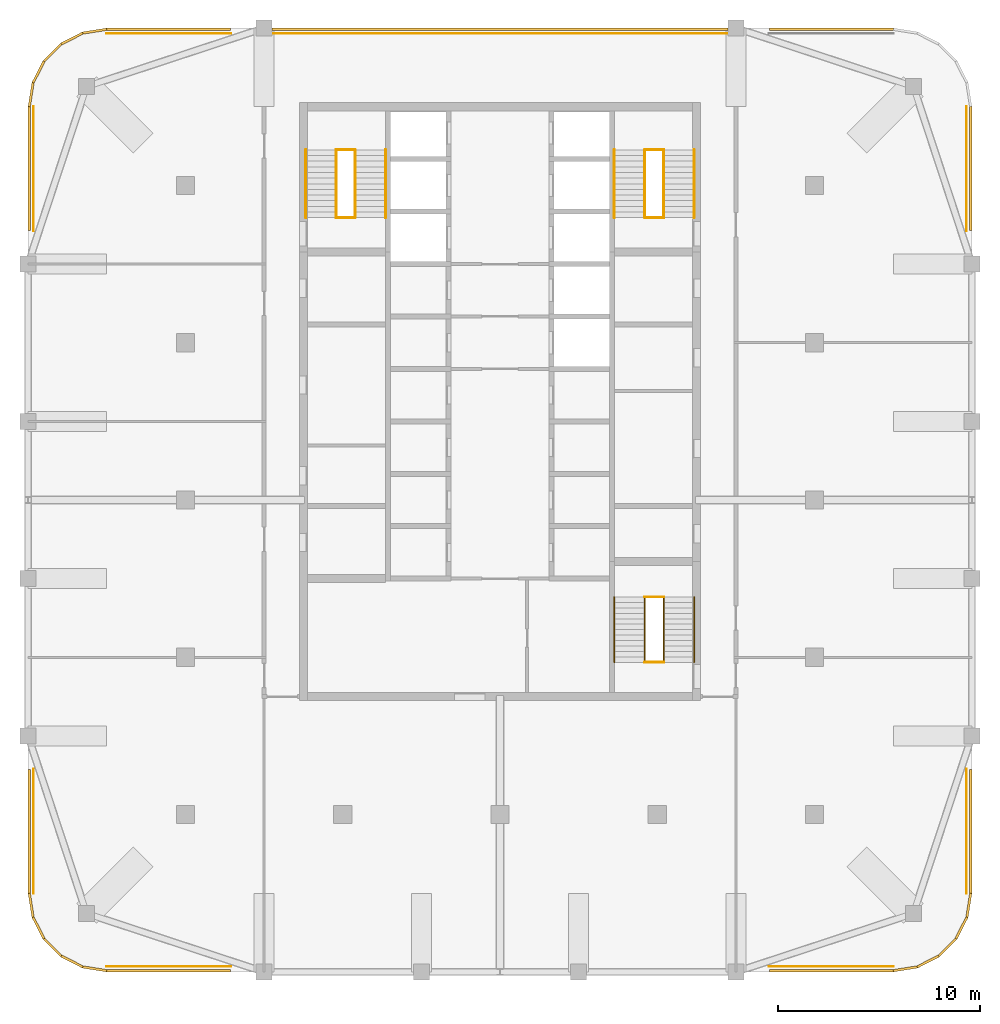
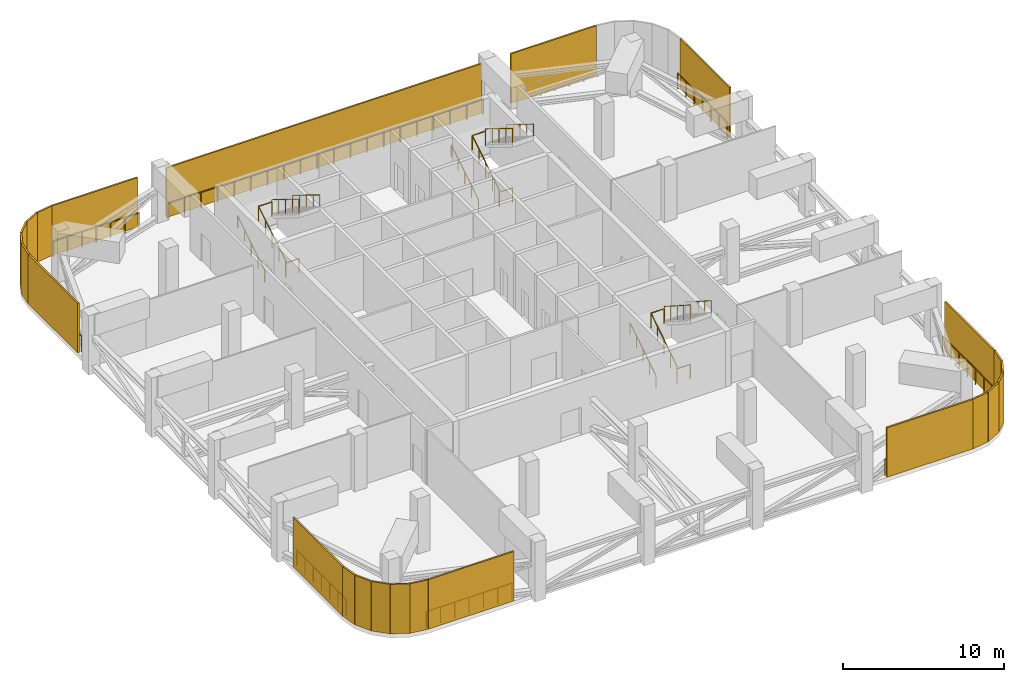
# One storey, part 12 of 13: 26 railings, 24 shading devices, 3 elements without a shape of their own.
"""IFC4 building model written with IfcOpenShell, lengths in metres."""

from ifc_helpers import new_model, si_unit, direction, frame, frame_2d, origin, origin_2d, place, context, subcontext, project, spatial, rectangle, circle, extrude, material, layer, layer_set, type_object, element, aggregate, save


model = new_model("IFC4")

# Units and contexts
model_context = context("Model", 3, precision=1e-05, world=origin(), true_north=direction((0.0, 1.0)))
body_context = subcontext(model_context, "Body", "Model", "MODEL_VIEW")
ifc_project = project(units=[si_unit("LENGTHUNIT", "METRE"), si_unit("AREAUNIT", "SQUARE_METRE"), si_unit("VOLUMEUNIT", "CUBIC_METRE"), si_unit("PLANEANGLEUNIT", "RADIAN"), si_unit("MASSUNIT", "GRAM", prefix="KILO")], contexts=[model_context])

# Site, building, storey
site_placement = place(None, origin())
site = spatial("IfcSite", under=ifc_project, at=site_placement, CompositionType="ELEMENT")
building_placement = place(site_placement, origin())
building = spatial("IfcBuilding", under=site, at=building_placement, Name="Ludao Terraces", CompositionType="ELEMENT")
storey_placement = place(building_placement, frame((0.0, 0.0, 241.5)))
storey = spatial("IfcBuildingStorey", under=building, at=storey_placement, Name="L66", CompositionType="ELEMENT", Elevation=241.5)

# Shading devices
ifc_material_1 = material(Name="Aluminium 6063-T6", Category="aluminium")
ifc_layer = layer(ifc_material_1, 0.1201171875)
ifc_layer_set = layer_set([ifc_layer], Name="ENV Louvre screen 120")
shading_device_type = type_object("IfcShadingDeviceType", Name="ENV Louvre screen 120", PredefinedType="USERDEFINED", material=ifc_layer_set)
for number, where, z_axis, x_axis, name in (
    (1, (65.5, 41.659912109375, 0.0), (0.0, 0.0, 1.0), (1.0, 0.0, 0.0), "LV-L66-S1"),
    (2, (98.354248046875, 41.659912109375, 0.0), (0.0, 0.0, 1.0), (1.0, 0.0, 0.0), "LV-L66-S5"),
    (3, (108.340087890625, 45.5, 0.0), (0.0, 0.0, 1.0), (0.0, 1.0, 0.0), "LV-L66-E1"),
    (4, (108.340087890625, 78.354248046875, 0.0), (0.0, 0.0, 1.0), (0.0, 1.0, 0.0), "LV-L66-E5"),
    (5, (65.5, 88.340087890625, 0.0), (0.0, 0.0, 1.0), (1.0, 0.0, 0.0), "LV-L66-N1"),
):
    element("IfcShadingDevice", number, at=place(storey_placement, frame(where, z_axis=z_axis, x_axis=x_axis)), inside=storey, type_object=shading_device_type, Name=name, ObjectType="LOUVRE", PredefinedType="USERDEFINED", context=body_context, shape_type="SweptSolid", body=[
        extrude(rectangle(XDim=6.145751953125, YDim=0.1201171875, at=frame_2d((3.07275390625, 0.0))), origin(), (0.0, 0.0, 1.0), 3.75),
    ])
shading_device_placement = place(storey_placement, frame((73.699951171875, 88.340087890625, 0.0), z_axis=(0.0, 0.0, 1.0), x_axis=(1.0, 0.0, 0.0)))
element("IfcShadingDevice", 6, at=shading_device_placement, inside=storey, type_object=shading_device_type, Name="LV-L66-N2", ObjectType="LOUVRE", PredefinedType="USERDEFINED", context=body_context, shape_type="SweptSolid", body=[
    extrude(rectangle(XDim=22.60009765625, YDim=0.1201171875, at=frame_2d((11.300048828125, 0.0))), origin(), (0.0, 0.0, 1.0), 3.75),
])
for number, where, z_axis, x_axis, name in (
    (7, (98.354248046875, 88.340087890625, 0.0), (0.0, 0.0, 1.0), (1.0, 0.0, 0.0), "LV-L66-N3"),
    (8, (61.659912109375, 45.5, 0.0), (0.0, 0.0, 1.0), (0.0, 1.0, 0.0), "LV-L66-W1"),
    (9, (61.659912109375, 78.354248046875, 0.0), (0.0, 0.0, 1.0), (0.0, 1.0, 0.0), "LV-L66-W5"),
):
    element("IfcShadingDevice", number, at=place(storey_placement, frame(where, z_axis=z_axis, x_axis=x_axis)), inside=storey, type_object=shading_device_type, Name=name, ObjectType="LOUVRE", PredefinedType="USERDEFINED", context=body_context, shape_type="SweptSolid", body=[
        extrude(rectangle(XDim=6.145751953125, YDim=0.1201171875, at=frame_2d((3.07275390625, 0.0))), origin(), (0.0, 0.0, 1.0), 3.75),
    ])
for number, where, z_axis, x_axis, name in (
    (10, (104.5, 41.659912109375, 0.0), (0.0, 0.0, 1.0), (0.987680438414, 0.156484349296, 0.0), "LV-L66-SE1"),
    (11, (105.6865234375, 41.847900390625, 0.0), (0.0, 0.0, 1.0), (0.891028641699, 0.453947089066, 0.0), "LV-L66-SE2"),
    (12, (106.757080078125, 42.393310546875, 0.0), (0.0, 0.0, 1.0), (0.707106781187, 0.707106781187, 0.0), "LV-L66-SE3"),
    (13, (107.606689453125, 43.242919921875, 0.0), (0.0, 0.0, 1.0), (0.453947089066, 0.891028641699, 0.0), "LV-L66-SE4"),
    (14, (108.152099609375, 44.3134765625, 0.0), (0.0, 0.0, 1.0), (0.156484349296, 0.987680438414, 0.0), "LV-L66-SE5"),
    (15, (65.5, 88.340087890625, 0.0), (0.0, 0.0, 1.0), (-0.987680438414, -0.156484349296, 0.0), "LV-L66-NW1"),
    (16, (64.3134765625, 88.152099609375, 0.0), (0.0, 0.0, 1.0), (-0.891028641699, -0.453947089066, 0.0), "LV-L66-NW2"),
    (17, (63.242919921875, 87.606689453125, 0.0), (0.0, 0.0, 1.0), (-0.707106781187, -0.707106781187, 0.0), "LV-L66-NW3"),
    (18, (62.393310546875, 86.757080078125, 0.0), (0.0, 0.0, 1.0), (-0.453947089066, -0.891028641699, 0.0), "LV-L66-NW4"),
    (19, (61.847900390625, 85.6865234375, 0.0), (0.0, 0.0, 1.0), (-0.156484349296, -0.987680438414, 0.0), "LV-L66-NW5"),
    (20, (61.659912109375, 45.5, 0.0), (0.0, 0.0, 1.0), (0.156484349296, -0.987680438414, 0.0), "LV-L66-SW1"),
    (21, (61.847900390625, 44.3134765625, 0.0), (0.0, 0.0, 1.0), (0.453947089066, -0.891028641699, 0.0), "LV-L66-SW2"),
    (22, (62.393310546875, 43.242919921875, 0.0), (0.0, 0.0, 1.0), (0.707106781187, -0.707106781187, 0.0), "LV-L66-SW3"),
    (23, (63.242919921875, 42.393310546875, 0.0), (0.0, 0.0, 1.0), (0.891028641699, -0.453947089066, 0.0), "LV-L66-SW4"),
    (24, (64.3134765625, 41.847900390625, 0.0), (0.0, 0.0, 1.0), (0.987680438414, -0.156484349296, 0.0), "LV-L66-SW5"),
):
    element("IfcShadingDevice", number, at=place(storey_placement, frame(where, z_axis=z_axis, x_axis=x_axis)), inside=storey, type_object=shading_device_type, Name=name, ObjectType="LOUVRE", PredefinedType="USERDEFINED", context=body_context, shape_type="SweptSolid", body=[
        extrude(rectangle(XDim=1.201416015625, YDim=0.1201171875, at=frame_2d((0.6005859375, 0.0))), origin(), (0.0, 0.0, 1.0), 3.75),
    ])

# Railings
ifc_material_2 = material(Name="Steel Q235", Category="steel")
railing_type_1 = type_object("IfcRailingType", Name="ENV Open-edge guard 1200", PredefinedType="GUARDRAIL", material=ifc_material_2)
for number, where, name in (
    (25, (65.5, 41.8701171875, 0.0), "Guard L66 S1"),
    (26, (98.354248046875, 41.8701171875, 0.0), "Guard L66 S5"),
):
    element("IfcRailing", number, at=place(storey_placement, frame(where)), inside=storey, type_object=railing_type_1, Name=name, PredefinedType="GUARDRAIL", context=body_context, shape_type="SweptSolid", body=[
        extrude(circle(Radius=0.02392578125, at=origin_2d()), frame((0.0, 0.0, 1.17578125), z_axis=(1.0, 0.0, 0.0), x_axis=(0.0, 1.0, 0.0)), (0.0, 0.0, 1.0), 6.145751953125),
        extrude(circle(Radius=0.02099609375, at=origin_2d()), origin(), (0.0, 0.0, 1.0), 1.15185546875),
        extrude(circle(Radius=0.02099609375, at=origin_2d()), frame((1.0244140625, 0.0, 0.0)), (0.0, 0.0, 1.0), 1.15185546875),
        extrude(circle(Radius=0.02099609375, at=origin_2d()), frame((2.048583984375, 0.0, 0.0)), (0.0, 0.0, 1.0), 1.15185546875),
        extrude(circle(Radius=0.02099609375, at=origin_2d()), frame((3.07275390625, 0.0, 0.0)), (0.0, 0.0, 1.0), 1.15185546875),
        extrude(circle(Radius=0.02099609375, at=origin_2d()), frame((4.09716796875, 0.0, 0.0)), (0.0, 0.0, 1.0), 1.15185546875),
        extrude(circle(Radius=0.02099609375, at=origin_2d()), frame((5.12158203125, 0.0, 0.0)), (0.0, 0.0, 1.0), 1.15185546875),
        extrude(circle(Radius=0.02099609375, at=origin_2d()), frame((6.145751953125, 0.0, 0.0)), (0.0, 0.0, 1.0), 1.15185546875),
    ])
for number, where, name in (
    (27, (108.1298828125, 45.5, 0.0), "Guard L66 E1"),
    (28, (108.1298828125, 78.354248046875, 0.0), "Guard L66 E5"),
):
    element("IfcRailing", number, at=place(storey_placement, frame(where)), inside=storey, type_object=railing_type_1, Name=name, PredefinedType="GUARDRAIL", context=body_context, shape_type="SweptSolid", body=[
        extrude(circle(Radius=0.02392578125, at=origin_2d()), frame((0.0, 0.0, 1.17578125), z_axis=(0.0, 1.0, 0.0), x_axis=(-1.0, 0.0, 0.0)), (0.0, 0.0, 1.0), 6.145751953125),
        extrude(circle(Radius=0.02099609375, at=origin_2d()), origin(), (0.0, 0.0, 1.0), 1.15185546875),
        extrude(circle(Radius=0.02099609375, at=origin_2d()), frame((0.0, 1.0244140625, 0.0)), (0.0, 0.0, 1.0), 1.15185546875),
        extrude(circle(Radius=0.02099609375, at=origin_2d()), frame((0.0, 2.048583984375, 0.0)), (0.0, 0.0, 1.0), 1.15185546875),
        extrude(circle(Radius=0.02099609375, at=origin_2d()), frame((0.0, 3.07275390625, 0.0)), (0.0, 0.0, 1.0), 1.15185546875),
        extrude(circle(Radius=0.02099609375, at=origin_2d()), frame((0.0, 4.09716796875, 0.0)), (0.0, 0.0, 1.0), 1.15185546875),
        extrude(circle(Radius=0.02099609375, at=origin_2d()), frame((0.0, 5.12158203125, 0.0)), (0.0, 0.0, 1.0), 1.15185546875),
        extrude(circle(Radius=0.02099609375, at=origin_2d()), frame((0.0, 6.145751953125, 0.0)), (0.0, 0.0, 1.0), 1.15185546875),
    ])
railing_1_placement = place(storey_placement, frame((65.5, 88.1298828125, 0.0)))
element("IfcRailing", 29, at=railing_1_placement, inside=storey, type_object=railing_type_1, Name="Guard L66 N1", PredefinedType="GUARDRAIL", context=body_context, shape_type="SweptSolid", body=[
    extrude(circle(Radius=0.02392578125, at=origin_2d()), frame((0.0, 0.0, 1.17578125), z_axis=(1.0, 0.0, 0.0), x_axis=(0.0, 1.0, 0.0)), (0.0, 0.0, 1.0), 6.145751953125),
    extrude(circle(Radius=0.02099609375, at=origin_2d()), origin(), (0.0, 0.0, 1.0), 1.15185546875),
    extrude(circle(Radius=0.02099609375, at=origin_2d()), frame((1.0244140625, 0.0, 0.0)), (0.0, 0.0, 1.0), 1.15185546875),
    extrude(circle(Radius=0.02099609375, at=origin_2d()), frame((2.048583984375, 0.0, 0.0)), (0.0, 0.0, 1.0), 1.15185546875),
    extrude(circle(Radius=0.02099609375, at=origin_2d()), frame((3.07275390625, 0.0, 0.0)), (0.0, 0.0, 1.0), 1.15185546875),
    extrude(circle(Radius=0.02099609375, at=origin_2d()), frame((4.09716796875, 0.0, 0.0)), (0.0, 0.0, 1.0), 1.15185546875),
    extrude(circle(Radius=0.02099609375, at=origin_2d()), frame((5.12158203125, 0.0, 0.0)), (0.0, 0.0, 1.0), 1.15185546875),
    extrude(circle(Radius=0.02099609375, at=origin_2d()), frame((6.145751953125, 0.0, 0.0)), (0.0, 0.0, 1.0), 1.15185546875),
])
railing_2_placement = place(storey_placement, frame((73.699951171875, 88.1298828125, 0.0)))
element("IfcRailing", 30, at=railing_2_placement, inside=storey, type_object=railing_type_1, Name="Guard L66 N2", PredefinedType="GUARDRAIL", context=body_context, shape_type="SweptSolid", body=[
    extrude(circle(Radius=0.02392578125, at=origin_2d()), frame((0.0, 0.0, 1.17578125), z_axis=(1.0, 0.0, 0.0), x_axis=(0.0, 1.0, 0.0)), (0.0, 0.0, 1.0), 22.60009765625),
    extrude(circle(Radius=0.02099609375, at=origin_2d()), origin(), (0.0, 0.0, 1.0), 1.15185546875),
    extrude(circle(Radius=0.02099609375, at=origin_2d()), frame((1.189453125, 0.0, 0.0)), (0.0, 0.0, 1.0), 1.15185546875),
    extrude(circle(Radius=0.02099609375, at=origin_2d()), frame((2.37890625, 0.0, 0.0)), (0.0, 0.0, 1.0), 1.15185546875),
    extrude(circle(Radius=0.02099609375, at=origin_2d()), frame((3.568359375, 0.0, 0.0)), (0.0, 0.0, 1.0), 1.15185546875),
    extrude(circle(Radius=0.02099609375, at=origin_2d()), frame((4.7578125, 0.0, 0.0)), (0.0, 0.0, 1.0), 1.15185546875),
    extrude(circle(Radius=0.02099609375, at=origin_2d()), frame((5.947509765625, 0.0, 0.0)), (0.0, 0.0, 1.0), 1.15185546875),
    extrude(circle(Radius=0.02099609375, at=origin_2d()), frame((7.136962890625, 0.0, 0.0)), (0.0, 0.0, 1.0), 1.15185546875),
    extrude(circle(Radius=0.02099609375, at=origin_2d()), frame((8.326416015625, 0.0, 0.0)), (0.0, 0.0, 1.0), 1.15185546875),
    extrude(circle(Radius=0.02099609375, at=origin_2d()), frame((9.515869140625, 0.0, 0.0)), (0.0, 0.0, 1.0), 1.15185546875),
    extrude(circle(Radius=0.02099609375, at=origin_2d()), frame((10.705322265625, 0.0, 0.0)), (0.0, 0.0, 1.0), 1.15185546875),
    extrude(circle(Radius=0.02099609375, at=origin_2d()), frame((11.894775390625, 0.0, 0.0)), (0.0, 0.0, 1.0), 1.15185546875),
    extrude(circle(Radius=0.02099609375, at=origin_2d()), frame((13.084228515625, 0.0, 0.0)), (0.0, 0.0, 1.0), 1.15185546875),
    extrude(circle(Radius=0.02099609375, at=origin_2d()), frame((14.273681640625, 0.0, 0.0)), (0.0, 0.0, 1.0), 1.15185546875),
    extrude(circle(Radius=0.02099609375, at=origin_2d()), frame((15.463134765625, 0.0, 0.0)), (0.0, 0.0, 1.0), 1.15185546875),
    extrude(circle(Radius=0.02099609375, at=origin_2d()), frame((16.652587890625, 0.0, 0.0)), (0.0, 0.0, 1.0), 1.15185546875),
    extrude(circle(Radius=0.02099609375, at=origin_2d()), frame((17.84228515625, 0.0, 0.0)), (0.0, 0.0, 1.0), 1.15185546875),
    extrude(circle(Radius=0.02099609375, at=origin_2d()), frame((19.03173828125, 0.0, 0.0)), (0.0, 0.0, 1.0), 1.15185546875),
    extrude(circle(Radius=0.02099609375, at=origin_2d()), frame((20.22119140625, 0.0, 0.0)), (0.0, 0.0, 1.0), 1.15185546875),
    extrude(circle(Radius=0.02099609375, at=origin_2d()), frame((21.41064453125, 0.0, 0.0)), (0.0, 0.0, 1.0), 1.15185546875),
    extrude(circle(Radius=0.02099609375, at=origin_2d()), frame((22.60009765625, 0.0, 0.0)), (0.0, 0.0, 1.0), 1.15185546875),
])
for number, where, name in (
    (31, (61.8701171875, 45.5, 0.0), "Guard L66 W1"),
    (32, (61.8701171875, 78.354248046875, 0.0), "Guard L66 W5"),
):
    element("IfcRailing", number, at=place(storey_placement, frame(where)), inside=storey, type_object=railing_type_1, Name=name, PredefinedType="GUARDRAIL", context=body_context, shape_type="SweptSolid", body=[
        extrude(circle(Radius=0.02392578125, at=origin_2d()), frame((0.0, 0.0, 1.17578125), z_axis=(0.0, 1.0, 0.0), x_axis=(-1.0, 0.0, 0.0)), (0.0, 0.0, 1.0), 6.145751953125),
        extrude(circle(Radius=0.02099609375, at=origin_2d()), origin(), (0.0, 0.0, 1.0), 1.15185546875),
        extrude(circle(Radius=0.02099609375, at=origin_2d()), frame((0.0, 1.0244140625, 0.0)), (0.0, 0.0, 1.0), 1.15185546875),
        extrude(circle(Radius=0.02099609375, at=origin_2d()), frame((0.0, 2.048583984375, 0.0)), (0.0, 0.0, 1.0), 1.15185546875),
        extrude(circle(Radius=0.02099609375, at=origin_2d()), frame((0.0, 3.07275390625, 0.0)), (0.0, 0.0, 1.0), 1.15185546875),
        extrude(circle(Radius=0.02099609375, at=origin_2d()), frame((0.0, 4.09716796875, 0.0)), (0.0, 0.0, 1.0), 1.15185546875),
        extrude(circle(Radius=0.02099609375, at=origin_2d()), frame((0.0, 5.12158203125, 0.0)), (0.0, 0.0, 1.0), 1.15185546875),
        extrude(circle(Radius=0.02099609375, at=origin_2d()), frame((0.0, 6.145751953125, 0.0)), (0.0, 0.0, 1.0), 1.15185546875),
    ])

# Stair, railings
ifc_material_3 = material(Name="Concrete C40", Category="concrete")
stair_type = type_object("IfcStairType", Name="INT Stair", PredefinedType="HALF_TURN_STAIR", material=ifc_material_3)
stair_1_placement = place(storey_placement, origin())
stair_1 = element("IfcStair", 33, at=stair_1_placement, inside=storey, type_object=stair_type, Name="EXIT STAIR 1", PredefinedType="HALF_TURN_STAIR")
ifc_material_4 = material(Name="Stainless steel 304", Category="steel")
railing_type_2 = type_object("IfcRailingType", Name="INT Stair guard 1100", PredefinedType="GUARDRAIL", material=ifc_material_4)
railing_3_placement = place(storey_placement, frame((76.875, 79.0, 0.173095703125)))
railing_3 = element("IfcRailing", 34, at=railing_3_placement, type_object=railing_type_2, Name="ST-L66-S1-R1G", PredefinedType="GUARDRAIL", context=body_context, shape_type="SweptSolid", body=[
    extrude(circle(Radius=0.02392578125, at=origin_2d()), frame((0.0, 0.0, 1.076171875), z_axis=(0.0, 0.850623216509, 0.525775754039), x_axis=(-1.0, 0.0, 0.0)), (0.0, 0.0, 1.0), 3.9501953125),
    extrude(circle(Radius=0.02099609375, at=origin_2d()), origin(), (0.0, 0.0, 1.0), 1.052001953125),
    extrude(circle(Radius=0.02099609375, at=origin_2d()), frame((0.0, 0.840087890625, 0.519287109375)), (0.0, 0.0, 1.0), 1.052001953125),
    extrude(circle(Radius=0.02099609375, at=origin_2d()), frame((0.0, 1.68017578125, 1.03857421875)), (0.0, 0.0, 1.0), 1.052001953125),
    extrude(circle(Radius=0.02099609375, at=origin_2d()), frame((0.0, 2.52001953125, 1.5576171875)), (0.0, 0.0, 1.0), 1.052001953125),
    extrude(circle(Radius=0.02099609375, at=origin_2d()), frame((0.0, 3.360107421875, 2.076904296875)), (0.0, 0.0, 1.0), 1.052001953125),
])
railing_4_placement = place(storey_placement, frame((77.824951171875, 82.360107421875, 2.423095703125)))
railing_4 = element("IfcRailing", 35, at=railing_4_placement, type_object=railing_type_2, Name="ST-L66-S1-R2G", PredefinedType="GUARDRAIL", context=body_context, shape_type="SweptSolid", body=[
    extrude(circle(Radius=0.02392578125, at=origin_2d()), frame((0.0, 0.0, 1.076171875), z_axis=(0.0, -0.850623216509, 0.525775754039), x_axis=(1.0, 0.0, 0.0)), (0.0, 0.0, 1.0), 3.9501953125),
    extrude(circle(Radius=0.02099609375, at=origin_2d()), origin(), (0.0, 0.0, 1.0), 1.052001953125),
    extrude(circle(Radius=0.02099609375, at=origin_2d()), frame((0.0, -0.840087890625, 0.519287109375)), (0.0, 0.0, 1.0), 1.052001953125),
    extrude(circle(Radius=0.02099609375, at=origin_2d()), frame((0.0, -1.68017578125, 1.03857421875)), (0.0, 0.0, 1.0), 1.052001953125),
    extrude(circle(Radius=0.02099609375, at=origin_2d()), frame((0.0, -2.52001953125, 1.5576171875)), (0.0, 0.0, 1.0), 1.052001953125),
    extrude(circle(Radius=0.02099609375, at=origin_2d()), frame((0.0, -3.360107421875, 2.076904296875)), (0.0, 0.0, 1.0), 1.052001953125),
])
railing_5_placement = place(storey_placement, frame((76.875, 82.360107421875, 2.25)))
railing_5 = element("IfcRailing", 36, at=railing_5_placement, type_object=railing_type_2, Name="ST-L66-S1-E1G", PredefinedType="GUARDRAIL", context=body_context, shape_type="SweptSolid", body=[
    extrude(circle(Radius=0.02392578125, at=origin_2d()), frame((0.0, 0.0, 1.076171875), z_axis=(1.0, 0.0, 0.0), x_axis=(0.0, 1.0, 0.0)), (0.0, 0.0, 1.0), 0.949951171875),
    extrude(circle(Radius=0.02099609375, at=origin_2d()), origin(), (0.0, 0.0, 1.0), 1.052001953125),
    extrude(circle(Radius=0.02099609375, at=origin_2d()), frame((0.949951171875, 0.0, 0.0)), (0.0, 0.0, 1.0), 1.052001953125),
])
railing_6_placement = place(storey_placement, frame((76.875, 79.0, 0.0)))
railing_6 = element("IfcRailing", 37, at=railing_6_placement, type_object=railing_type_2, Name="ST-L66-S1-E2G", PredefinedType="GUARDRAIL", context=body_context, shape_type="SweptSolid", body=[
    extrude(circle(Radius=0.02392578125, at=origin_2d()), frame((0.0, 0.0, 1.076171875), z_axis=(1.0, 0.0, 0.0), x_axis=(0.0, 1.0, 0.0)), (0.0, 0.0, 1.0), 0.949951171875),
    extrude(circle(Radius=0.02099609375, at=origin_2d()), origin(), (0.0, 0.0, 1.0), 1.052001953125),
    extrude(circle(Radius=0.02099609375, at=origin_2d()), frame((0.949951171875, 0.0, 0.0)), (0.0, 0.0, 1.0), 1.052001953125),
])

stair_2_placement = place(storey_placement, origin())
stair_2 = element("IfcStair", 38, at=stair_2_placement, inside=storey, type_object=stair_type, Name="EXIT STAIR 2", PredefinedType="HALF_TURN_STAIR")
railing_7_placement = place(storey_placement, frame((92.175048828125, 79.0, 0.173095703125)))
railing_7 = element("IfcRailing", 39, at=railing_7_placement, type_object=railing_type_2, Name="ST-L66-S2-R1G", PredefinedType="GUARDRAIL", context=body_context, shape_type="SweptSolid", body=[
    extrude(circle(Radius=0.02392578125, at=origin_2d()), frame((0.0, 0.0, 1.076171875), z_axis=(0.0, 0.850623216509, 0.525775754039), x_axis=(-1.0, 0.0, 0.0)), (0.0, 0.0, 1.0), 3.9501953125),
    extrude(circle(Radius=0.02099609375, at=origin_2d()), origin(), (0.0, 0.0, 1.0), 1.052001953125),
    extrude(circle(Radius=0.02099609375, at=origin_2d()), frame((0.0, 0.840087890625, 0.519287109375)), (0.0, 0.0, 1.0), 1.052001953125),
    extrude(circle(Radius=0.02099609375, at=origin_2d()), frame((0.0, 1.68017578125, 1.03857421875)), (0.0, 0.0, 1.0), 1.052001953125),
    extrude(circle(Radius=0.02099609375, at=origin_2d()), frame((0.0, 2.52001953125, 1.5576171875)), (0.0, 0.0, 1.0), 1.052001953125),
    extrude(circle(Radius=0.02099609375, at=origin_2d()), frame((0.0, 3.360107421875, 2.076904296875)), (0.0, 0.0, 1.0), 1.052001953125),
])
railing_8_placement = place(storey_placement, frame((93.125, 82.360107421875, 2.423095703125)))
railing_8 = element("IfcRailing", 40, at=railing_8_placement, type_object=railing_type_2, Name="ST-L66-S2-R2G", PredefinedType="GUARDRAIL", context=body_context, shape_type="SweptSolid", body=[
    extrude(circle(Radius=0.02392578125, at=origin_2d()), frame((0.0, 0.0, 1.076171875), z_axis=(0.0, -0.850623216509, 0.525775754039), x_axis=(1.0, 0.0, 0.0)), (0.0, 0.0, 1.0), 3.9501953125),
    extrude(circle(Radius=0.02099609375, at=origin_2d()), origin(), (0.0, 0.0, 1.0), 1.052001953125),
    extrude(circle(Radius=0.02099609375, at=origin_2d()), frame((0.0, -0.840087890625, 0.519287109375)), (0.0, 0.0, 1.0), 1.052001953125),
    extrude(circle(Radius=0.02099609375, at=origin_2d()), frame((0.0, -1.68017578125, 1.03857421875)), (0.0, 0.0, 1.0), 1.052001953125),
    extrude(circle(Radius=0.02099609375, at=origin_2d()), frame((0.0, -2.52001953125, 1.5576171875)), (0.0, 0.0, 1.0), 1.052001953125),
    extrude(circle(Radius=0.02099609375, at=origin_2d()), frame((0.0, -3.360107421875, 2.076904296875)), (0.0, 0.0, 1.0), 1.052001953125),
])
railing_9_placement = place(storey_placement, frame((92.175048828125, 82.360107421875, 2.25)))
railing_9 = element("IfcRailing", 41, at=railing_9_placement, type_object=railing_type_2, Name="ST-L66-S2-E1G", PredefinedType="GUARDRAIL", context=body_context, shape_type="SweptSolid", body=[
    extrude(circle(Radius=0.02392578125, at=origin_2d()), frame((0.0, 0.0, 1.076171875), z_axis=(1.0, 0.0, 0.0), x_axis=(0.0, 1.0, 0.0)), (0.0, 0.0, 1.0), 0.949951171875),
    extrude(circle(Radius=0.02099609375, at=origin_2d()), origin(), (0.0, 0.0, 1.0), 1.052001953125),
    extrude(circle(Radius=0.02099609375, at=origin_2d()), frame((0.949951171875, 0.0, 0.0)), (0.0, 0.0, 1.0), 1.052001953125),
])
railing_10_placement = place(storey_placement, frame((92.175048828125, 79.0, 0.0)))
railing_10 = element("IfcRailing", 42, at=railing_10_placement, type_object=railing_type_2, Name="ST-L66-S2-E2G", PredefinedType="GUARDRAIL", context=body_context, shape_type="SweptSolid", body=[
    extrude(circle(Radius=0.02392578125, at=origin_2d()), frame((0.0, 0.0, 1.076171875), z_axis=(1.0, 0.0, 0.0), x_axis=(0.0, 1.0, 0.0)), (0.0, 0.0, 1.0), 0.949951171875),
    extrude(circle(Radius=0.02099609375, at=origin_2d()), origin(), (0.0, 0.0, 1.0), 1.052001953125),
    extrude(circle(Radius=0.02099609375, at=origin_2d()), frame((0.949951171875, 0.0, 0.0)), (0.0, 0.0, 1.0), 1.052001953125),
])

stair_3_placement = place(storey_placement, origin())
stair_3 = element("IfcStair", 43, at=stair_3_placement, inside=storey, type_object=stair_type, Name="EXIT STAIR 3", PredefinedType="HALF_TURN_STAIR")
railing_11_placement = place(storey_placement, frame((92.175048828125, 56.949951171875, 0.173095703125)))
railing_11 = element("IfcRailing", 44, at=railing_11_placement, type_object=railing_type_2, Name="ST-L66-S3-R1G", PredefinedType="GUARDRAIL", context=body_context, shape_type="SweptSolid", body=[
    extrude(circle(Radius=0.02392578125, at=origin_2d()), frame((0.0, 0.0, 1.076171875), z_axis=(0.0, 0.841880617004, 0.539663808971), x_axis=(-1.0, 0.0, 0.0)), (0.0, 0.0, 1.0), 3.8486328125),
    extrude(circle(Radius=0.02099609375, at=origin_2d()), origin(), (0.0, 0.0, 1.0), 1.052001953125),
    extrude(circle(Radius=0.02099609375, at=origin_2d()), frame((0.0, 0.81005859375, 0.519287109375)), (0.0, 0.0, 1.0), 1.052001953125),
    extrude(circle(Radius=0.02099609375, at=origin_2d()), frame((0.0, 1.6201171875, 1.03857421875)), (0.0, 0.0, 1.0), 1.052001953125),
    extrude(circle(Radius=0.02099609375, at=origin_2d()), frame((0.0, 2.429931640625, 1.5576171875)), (0.0, 0.0, 1.0), 1.052001953125),
    extrude(circle(Radius=0.02099609375, at=origin_2d()), frame((0.0, 3.239990234375, 2.076904296875)), (0.0, 0.0, 1.0), 1.052001953125),
])
railing_12_placement = place(storey_placement, frame((93.125, 60.18994140625, 2.423095703125)))
railing_12 = element("IfcRailing", 45, at=railing_12_placement, type_object=railing_type_2, Name="ST-L66-S3-R2G", PredefinedType="GUARDRAIL", context=body_context, shape_type="SweptSolid", body=[
    extrude(circle(Radius=0.02392578125, at=origin_2d()), frame((0.0, 0.0, 1.076171875), z_axis=(0.0, -0.841880617004, 0.539663808971), x_axis=(1.0, 0.0, 0.0)), (0.0, 0.0, 1.0), 3.8486328125),
    extrude(circle(Radius=0.02099609375, at=origin_2d()), origin(), (0.0, 0.0, 1.0), 1.052001953125),
    extrude(circle(Radius=0.02099609375, at=origin_2d()), frame((0.0, -0.81005859375, 0.519287109375)), (0.0, 0.0, 1.0), 1.052001953125),
    extrude(circle(Radius=0.02099609375, at=origin_2d()), frame((0.0, -1.6201171875, 1.03857421875)), (0.0, 0.0, 1.0), 1.052001953125),
    extrude(circle(Radius=0.02099609375, at=origin_2d()), frame((0.0, -2.429931640625, 1.5576171875)), (0.0, 0.0, 1.0), 1.052001953125),
    extrude(circle(Radius=0.02099609375, at=origin_2d()), frame((0.0, -3.239990234375, 2.076904296875)), (0.0, 0.0, 1.0), 1.052001953125),
])
railing_13_placement = place(storey_placement, frame((92.175048828125, 60.18994140625, 2.25)))
railing_13 = element("IfcRailing", 46, at=railing_13_placement, type_object=railing_type_2, Name="ST-L66-S3-E1G", PredefinedType="GUARDRAIL", context=body_context, shape_type="SweptSolid", body=[
    extrude(circle(Radius=0.02392578125, at=origin_2d()), frame((0.0, 0.0, 1.076171875), z_axis=(1.0, 0.0, 0.0), x_axis=(0.0, 1.0, 0.0)), (0.0, 0.0, 1.0), 0.949951171875),
    extrude(circle(Radius=0.02099609375, at=origin_2d()), origin(), (0.0, 0.0, 1.0), 1.052001953125),
    extrude(circle(Radius=0.02099609375, at=origin_2d()), frame((0.949951171875, 0.0, 0.0)), (0.0, 0.0, 1.0), 1.052001953125),
])
railing_14_placement = place(storey_placement, frame((92.175048828125, 56.949951171875, 0.0)))
railing_14 = element("IfcRailing", 47, at=railing_14_placement, type_object=railing_type_2, Name="ST-L66-S3-E2G", PredefinedType="GUARDRAIL", context=body_context, shape_type="SweptSolid", body=[
    extrude(circle(Radius=0.02392578125, at=origin_2d()), frame((0.0, 0.0, 1.076171875), z_axis=(1.0, 0.0, 0.0), x_axis=(0.0, 1.0, 0.0)), (0.0, 0.0, 1.0), 0.949951171875),
    extrude(circle(Radius=0.02099609375, at=origin_2d()), origin(), (0.0, 0.0, 1.0), 1.052001953125),
    extrude(circle(Radius=0.02099609375, at=origin_2d()), frame((0.949951171875, 0.0, 0.0)), (0.0, 0.0, 1.0), 1.052001953125),
])

# Railing
railing_type_3 = type_object("IfcRailingType", Name="INT Stair handrail 900", PredefinedType="HANDRAIL", material=ifc_material_4)
railing_15_placement = place(storey_placement, frame((75.375, 79.0, 0.173095703125)))
railing_15 = element("IfcRailing", 48, at=railing_15_placement, type_object=railing_type_3, Name="ST-L66-S1-R1H", PredefinedType="HANDRAIL", context=body_context, shape_type="SweptSolid", body=[
    extrude(circle(Radius=0.02392578125, at=origin_2d()), frame((0.0, 0.0, 0.8759765625), z_axis=(0.0, 0.850623216509, 0.525775754039), x_axis=(-1.0, 0.0, 0.0)), (0.0, 0.0, 1.0), 3.9501953125),
    extrude(circle(Radius=0.02099609375, at=origin_2d()), origin(), (0.0, 0.0, 1.0), 0.851806640625),
    extrude(circle(Radius=0.02099609375, at=origin_2d()), frame((0.0, 0.840087890625, 0.519287109375)), (0.0, 0.0, 1.0), 0.851806640625),
    extrude(circle(Radius=0.02099609375, at=origin_2d()), frame((0.0, 1.68017578125, 1.03857421875)), (0.0, 0.0, 1.0), 0.851806640625),
    extrude(circle(Radius=0.02099609375, at=origin_2d()), frame((0.0, 2.52001953125, 1.5576171875)), (0.0, 0.0, 1.0), 0.851806640625),
    extrude(circle(Radius=0.02099609375, at=origin_2d()), frame((0.0, 3.360107421875, 2.076904296875)), (0.0, 0.0, 1.0), 0.851806640625),
])

railing_16_placement = place(storey_placement, frame((79.324951171875, 82.360107421875, 2.423095703125)))
railing_16 = element("IfcRailing", 49, at=railing_16_placement, type_object=railing_type_3, Name="ST-L66-S1-R2H", PredefinedType="HANDRAIL", context=body_context, shape_type="SweptSolid", body=[
    extrude(circle(Radius=0.02392578125, at=origin_2d()), frame((0.0, 0.0, 0.8759765625), z_axis=(0.0, -0.850623216509, 0.525775754039), x_axis=(1.0, 0.0, 0.0)), (0.0, 0.0, 1.0), 3.9501953125),
    extrude(circle(Radius=0.02099609375, at=origin_2d()), origin(), (0.0, 0.0, 1.0), 0.851806640625),
    extrude(circle(Radius=0.02099609375, at=origin_2d()), frame((0.0, -0.840087890625, 0.519287109375)), (0.0, 0.0, 1.0), 0.851806640625),
    extrude(circle(Radius=0.02099609375, at=origin_2d()), frame((0.0, -1.68017578125, 1.03857421875)), (0.0, 0.0, 1.0), 0.851806640625),
    extrude(circle(Radius=0.02099609375, at=origin_2d()), frame((0.0, -2.52001953125, 1.5576171875)), (0.0, 0.0, 1.0), 0.851806640625),
    extrude(circle(Radius=0.02099609375, at=origin_2d()), frame((0.0, -3.360107421875, 2.076904296875)), (0.0, 0.0, 1.0), 0.851806640625),
])

aggregate(stair_1, [railing_3, railing_15, railing_4, railing_16, railing_5, railing_6])

railing_17_placement = place(storey_placement, frame((90.675048828125, 79.0, 0.173095703125)))
railing_17 = element("IfcRailing", 50, at=railing_17_placement, type_object=railing_type_3, Name="ST-L66-S2-R1H", PredefinedType="HANDRAIL", context=body_context, shape_type="SweptSolid", body=[
    extrude(circle(Radius=0.02392578125, at=origin_2d()), frame((0.0, 0.0, 0.8759765625), z_axis=(0.0, 0.850623216509, 0.525775754039), x_axis=(-1.0, 0.0, 0.0)), (0.0, 0.0, 1.0), 3.9501953125),
    extrude(circle(Radius=0.02099609375, at=origin_2d()), origin(), (0.0, 0.0, 1.0), 0.851806640625),
    extrude(circle(Radius=0.02099609375, at=origin_2d()), frame((0.0, 0.840087890625, 0.519287109375)), (0.0, 0.0, 1.0), 0.851806640625),
    extrude(circle(Radius=0.02099609375, at=origin_2d()), frame((0.0, 1.68017578125, 1.03857421875)), (0.0, 0.0, 1.0), 0.851806640625),
    extrude(circle(Radius=0.02099609375, at=origin_2d()), frame((0.0, 2.52001953125, 1.5576171875)), (0.0, 0.0, 1.0), 0.851806640625),
    extrude(circle(Radius=0.02099609375, at=origin_2d()), frame((0.0, 3.360107421875, 2.076904296875)), (0.0, 0.0, 1.0), 0.851806640625),
])

railing_18_placement = place(storey_placement, frame((94.625, 82.360107421875, 2.423095703125)))
railing_18 = element("IfcRailing", 51, at=railing_18_placement, type_object=railing_type_3, Name="ST-L66-S2-R2H", PredefinedType="HANDRAIL", context=body_context, shape_type="SweptSolid", body=[
    extrude(circle(Radius=0.02392578125, at=origin_2d()), frame((0.0, 0.0, 0.8759765625), z_axis=(0.0, -0.850623216509, 0.525775754039), x_axis=(1.0, 0.0, 0.0)), (0.0, 0.0, 1.0), 3.9501953125),
    extrude(circle(Radius=0.02099609375, at=origin_2d()), origin(), (0.0, 0.0, 1.0), 0.851806640625),
    extrude(circle(Radius=0.02099609375, at=origin_2d()), frame((0.0, -0.840087890625, 0.519287109375)), (0.0, 0.0, 1.0), 0.851806640625),
    extrude(circle(Radius=0.02099609375, at=origin_2d()), frame((0.0, -1.68017578125, 1.03857421875)), (0.0, 0.0, 1.0), 0.851806640625),
    extrude(circle(Radius=0.02099609375, at=origin_2d()), frame((0.0, -2.52001953125, 1.5576171875)), (0.0, 0.0, 1.0), 0.851806640625),
    extrude(circle(Radius=0.02099609375, at=origin_2d()), frame((0.0, -3.360107421875, 2.076904296875)), (0.0, 0.0, 1.0), 0.851806640625),
])

aggregate(stair_2, [railing_7, railing_17, railing_8, railing_18, railing_9, railing_10])

railing_19_placement = place(storey_placement, frame((90.675048828125, 56.949951171875, 0.173095703125)))
railing_19 = element("IfcRailing", 52, at=railing_19_placement, type_object=railing_type_3, Name="ST-L66-S3-R1H", PredefinedType="HANDRAIL", context=body_context, shape_type="SweptSolid", body=[
    extrude(circle(Radius=0.02392578125, at=origin_2d()), frame((0.0, 0.0, 0.8759765625), z_axis=(0.0, 0.841880617004, 0.539663808971), x_axis=(-1.0, 0.0, 0.0)), (0.0, 0.0, 1.0), 3.8486328125),
    extrude(circle(Radius=0.02099609375, at=origin_2d()), origin(), (0.0, 0.0, 1.0), 0.851806640625),
    extrude(circle(Radius=0.02099609375, at=origin_2d()), frame((0.0, 0.81005859375, 0.519287109375)), (0.0, 0.0, 1.0), 0.851806640625),
    extrude(circle(Radius=0.02099609375, at=origin_2d()), frame((0.0, 1.6201171875, 1.03857421875)), (0.0, 0.0, 1.0), 0.851806640625),
    extrude(circle(Radius=0.02099609375, at=origin_2d()), frame((0.0, 2.429931640625, 1.5576171875)), (0.0, 0.0, 1.0), 0.851806640625),
    extrude(circle(Radius=0.02099609375, at=origin_2d()), frame((0.0, 3.239990234375, 2.076904296875)), (0.0, 0.0, 1.0), 0.851806640625),
])

railing_20_placement = place(storey_placement, frame((94.625, 60.18994140625, 2.423095703125)))
railing_20 = element("IfcRailing", 53, at=railing_20_placement, type_object=railing_type_3, Name="ST-L66-S3-R2H", PredefinedType="HANDRAIL", context=body_context, shape_type="SweptSolid", body=[
    extrude(circle(Radius=0.02392578125, at=origin_2d()), frame((0.0, 0.0, 0.8759765625), z_axis=(0.0, -0.841880617004, 0.539663808971), x_axis=(1.0, 0.0, 0.0)), (0.0, 0.0, 1.0), 3.8486328125),
    extrude(circle(Radius=0.02099609375, at=origin_2d()), origin(), (0.0, 0.0, 1.0), 0.851806640625),
    extrude(circle(Radius=0.02099609375, at=origin_2d()), frame((0.0, -0.81005859375, 0.519287109375)), (0.0, 0.0, 1.0), 0.851806640625),
    extrude(circle(Radius=0.02099609375, at=origin_2d()), frame((0.0, -1.6201171875, 1.03857421875)), (0.0, 0.0, 1.0), 0.851806640625),
    extrude(circle(Radius=0.02099609375, at=origin_2d()), frame((0.0, -2.429931640625, 1.5576171875)), (0.0, 0.0, 1.0), 0.851806640625),
    extrude(circle(Radius=0.02099609375, at=origin_2d()), frame((0.0, -3.239990234375, 2.076904296875)), (0.0, 0.0, 1.0), 0.851806640625),
])

aggregate(stair_3, [railing_11, railing_19, railing_12, railing_20, railing_13, railing_14])

save(model, "model.ifc")
